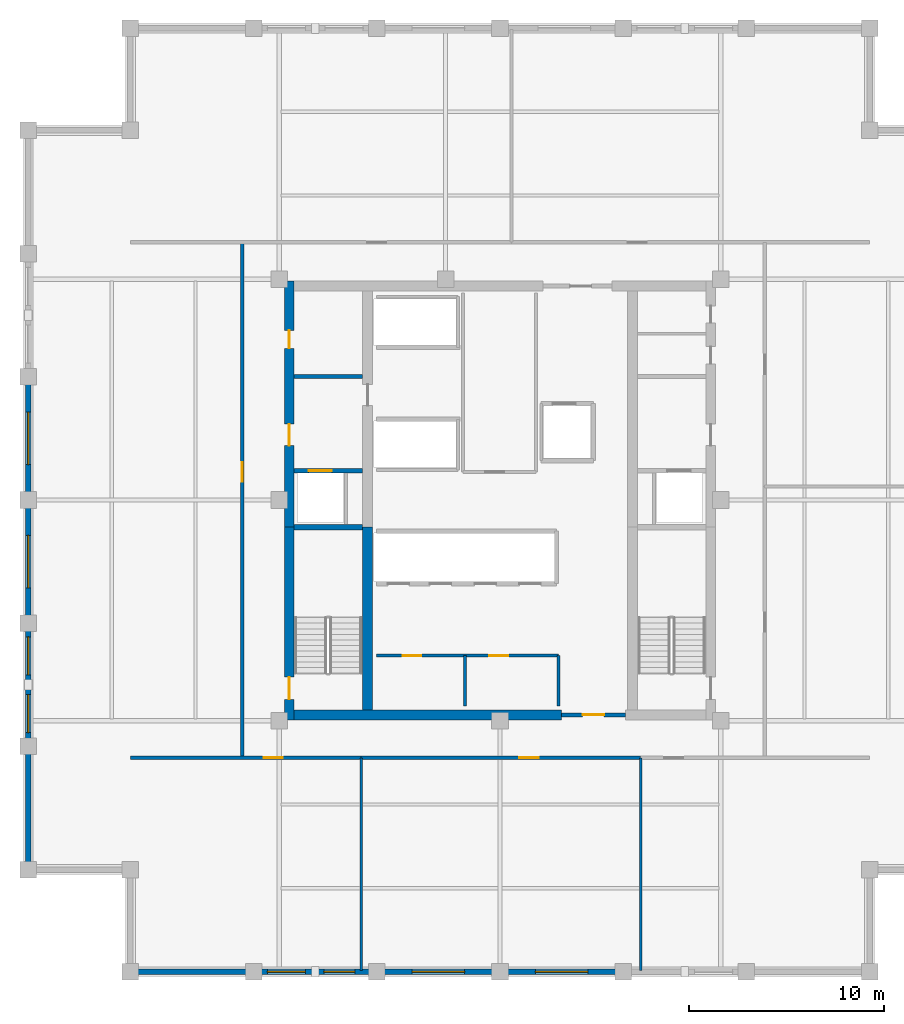
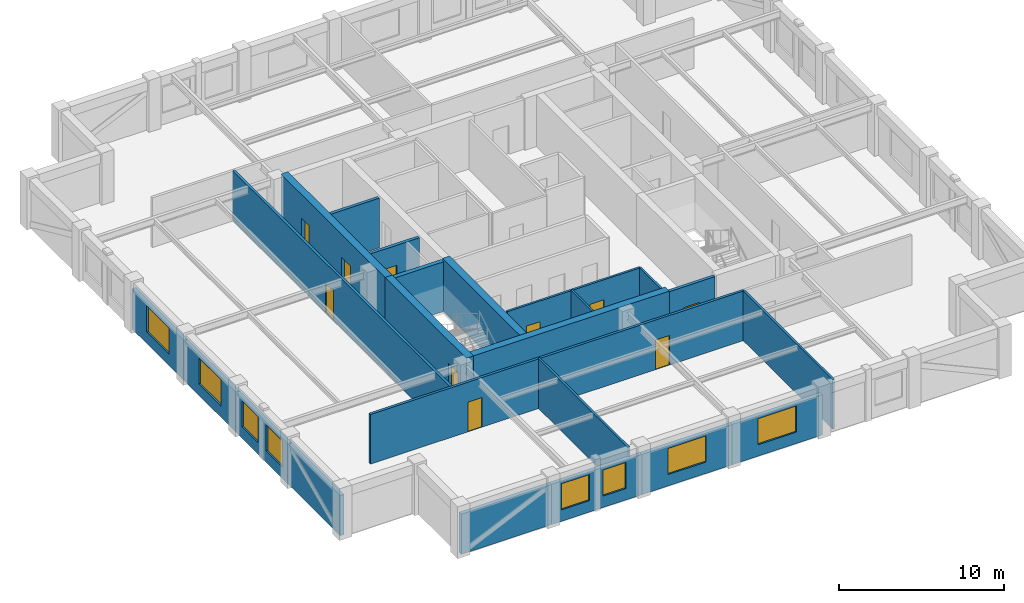
# One storey, part 2 of 6: 24 walls, 10 doors, 8 windows, 18 openings.
"""IFC4 building model written with IfcOpenShell, lengths in metres."""

from ifc_helpers import new_model, si_unit, direction, frame, frame_2d, origin, place, context, subcontext, project, spatial, rectangle, extrude, material, layer, layer_set, type_object, element, fill, save


model = new_model("IFC4")

# Units and contexts
model_context = context("Model", 3, precision=1e-05, world=origin(), true_north=direction((0.0, 1.0)))
body_context = subcontext(model_context, "Body", "Model", "MODEL_VIEW")
ifc_project = project(units=[si_unit("LENGTHUNIT", "METRE"), si_unit("AREAUNIT", "SQUARE_METRE"), si_unit("VOLUMEUNIT", "CUBIC_METRE"), si_unit("PLANEANGLEUNIT", "RADIAN"), si_unit("MASSUNIT", "GRAM", prefix="KILO")], contexts=[model_context])

# Site, building, storey
site_placement = place(None, origin())
site = spatial("IfcSite", under=ifc_project, at=site_placement, CompositionType="ELEMENT")
building_placement = place(site_placement, origin())
building = spatial("IfcBuilding", under=site, at=building_placement, Name="Nhamokura Convention Tower", CompositionType="ELEMENT")
storey_placement = place(building_placement, frame((0.0, 0.0, 233.10009765625)))
storey = spatial("IfcBuildingStorey", under=building, at=storey_placement, Name="L57", CompositionType="ELEMENT", Elevation=233.10009765625)

# Wall
ifc_material_1 = material(Name="Bronze-pigmented precast concrete C45/55", Category="concrete")
ifc_layer_1 = layer(ifc_material_1, 0.280029296875)
ifc_layer_set_1 = layer_set([ifc_layer_1], Name="BronzePrecastSpandrel_280")
wall_type_1 = type_object("IfcWallType", Name="BronzePrecastSpandrel_280", PredefinedType="USERDEFINED", material=ifc_layer_set_1)
wall_1_placement = place(storey_placement, frame((19.333251953125, 7.75, 0.0), z_axis=(0.0, 0.0, 1.0), x_axis=(-1.0, 0.0, 0.0)))
element("IfcWall", 1, at=wall_1_placement, inside=storey, type_object=wall_type_1, Name="L57 Braced-Bay Precast Wall SOUTH 0", ObjectType="SPANDREL_WALL", PredefinedType="USERDEFINED", context=body_context, shape_type="SweptSolid", body=[
    extrude(rectangle(XDim=6.333251953125, YDim=0.280029296875, at=frame_2d((3.16650390625, 0.0))), origin(), (0.0, 0.0, 1.0), 2.98486328125),
])

# Wall, openings, windows
wall_2_placement = place(storey_placement, frame((25.666748046875, 7.75, 0.0), z_axis=(0.0, 0.0, 1.0), x_axis=(-1.0, 0.0, 0.0)))
wall_2 = element("IfcWall", 2, at=wall_2_placement, inside=storey, type_object=wall_type_1, Name="L57 Masonry-Frame Wall SOUTH 1", ObjectType="SPANDREL_WALL", PredefinedType="USERDEFINED", context=body_context, shape_type="SweptSolid", body=[
    extrude(rectangle(XDim=6.33349609375, YDim=0.280029296875, at=frame_2d((3.166748046875, 0.0))), origin(), (0.0, 0.0, 1.0), 2.98486328125),
])
opening_1_placement = place(wall_2_placement, frame((1.120849609375, 0.0, 0.85009765625)))
opening_1 = element("IfcOpeningElement", 3, at=opening_1_placement, cuts=wall_2, Name="Opening W-11", PredefinedType="OPENING", context=body_context, shape_type="SweptSolid", body=[
    extrude(rectangle(XDim=1.60009765625, YDim=1.93505859375, at=frame_2d((0.800048828125, 0.967529296875))), frame((0.0, 0.14990234375, 0.0), z_axis=(0.0, -1.0, 0.0), x_axis=(1.0, 0.0, 0.0)), (0.0, 0.0, 1.0), 0.300048828125),
])
opening_2_placement = place(wall_2_placement, frame((3.675048828125, 0.0, 0.85009765625)))
opening_2 = element("IfcOpeningElement", 4, at=opening_2_placement, cuts=wall_2, Name="Opening W-08", PredefinedType="OPENING", context=body_context, shape_type="SweptSolid", body=[
    extrude(rectangle(XDim=1.949951171875, YDim=1.93505859375, at=frame_2d((0.97509765625, 0.967529296875))), frame((0.0, 0.14990234375, 0.0), z_axis=(0.0, -1.0, 0.0), x_axis=(1.0, 0.0, 0.0)), (0.0, 0.0, 1.0), 0.300048828125),
])
ifc_material_2 = material(Name="Solar-control bronze low-E double glass", Category="glass")
window_type_1 = type_object("IfcWindowType", Name="NotchCornerWindow_1600", PartitioningType="SINGLE_PANEL", PredefinedType="WINDOW", material=ifc_material_2)
window_1_placement = place(opening_1_placement, origin())
window_1 = element("IfcWindow", 5, at=window_1_placement, inside=storey, type_object=window_type_1, Name="L57 Facade Window SOUTH 1-1", OverallHeight=1.93505859375, OverallWidth=1.60009765625, PartitioningType="SINGLE_PANEL", PredefinedType="WINDOW", context=body_context, shape_type="SweptSolid", body=[
    extrude(rectangle(XDim=1.60009765625, YDim=1.93505859375, at=frame_2d((0.800048828125, 0.967529296875))), frame((0.0, 0.030029296875, 0.0), z_axis=(0.0, -1.0, 0.0), x_axis=(1.0, 0.0, 0.0)), (0.0, 0.0, 1.0), 0.06005859375),
])
fill(opening_1, window_1)
ifc_material_3 = material(Name="Solar-control bronze low-E double glass", Category="glass")
window_type_2 = type_object("IfcWindowType", Name="OfficeModuleWindow_Z3_1950", PartitioningType="SINGLE_PANEL", PredefinedType="WINDOW", material=ifc_material_3)
window_2_placement = place(opening_2_placement, origin())
window_2 = element("IfcWindow", 6, at=window_2_placement, inside=storey, type_object=window_type_2, Name="L57 Facade Window SOUTH 1-2", OverallHeight=1.93505859375, OverallWidth=1.949951171875, PartitioningType="SINGLE_PANEL", PredefinedType="WINDOW", context=body_context, shape_type="SweptSolid", body=[
    extrude(rectangle(XDim=1.949951171875, YDim=1.93505859375, at=frame_2d((0.97509765625, 0.967529296875))), frame((0.0, 0.030029296875, 0.0), z_axis=(0.0, -1.0, 0.0), x_axis=(1.0, 0.0, 0.0)), (0.0, 0.0, 1.0), 0.06005859375),
])
fill(opening_2, window_2)

# Wall, opening, window
wall_3_placement = place(storey_placement, frame((32.0, 7.75, 0.0), z_axis=(0.0, 0.0, 1.0), x_axis=(-1.0, 0.0, 0.0)))
wall_3 = element("IfcWall", 7, at=wall_3_placement, inside=storey, type_object=wall_type_1, Name="L57 Masonry-Frame Wall SOUTH 2", ObjectType="SPANDREL_WALL", PredefinedType="USERDEFINED", context=body_context, shape_type="SweptSolid", body=[
    extrude(rectangle(XDim=6.333251953125, YDim=0.280029296875, at=frame_2d((3.16650390625, 0.0))), origin(), (0.0, 0.0, 1.0), 2.98486328125),
])
opening_3_placement = place(wall_3_placement, frame((1.816650390625, 0.0, 0.85009765625)))
opening_3 = element("IfcOpeningElement", 8, at=opening_3_placement, cuts=wall_3, Name="Opening W-07", PredefinedType="OPENING", context=body_context, shape_type="SweptSolid", body=[
    extrude(rectangle(XDim=2.699951171875, YDim=1.93505859375, at=frame_2d((1.35009765625, 0.967529296875))), frame((0.0, 0.14990234375, 0.0), z_axis=(0.0, -1.0, 0.0), x_axis=(1.0, 0.0, 0.0)), (0.0, 0.0, 1.0), 0.300048828125),
])
ifc_material_4 = material(Name="Solar-control bronze low-E double glass", Category="glass")
window_type_3 = type_object("IfcWindowType", Name="OfficeModuleWindow_Z3_2700", PartitioningType="DOUBLE_PANEL_VERTICAL", PredefinedType="WINDOW", material=ifc_material_4)
window_3_placement = place(opening_3_placement, origin())
window_3 = element("IfcWindow", 9, at=window_3_placement, inside=storey, type_object=window_type_3, Name="L57 Facade Window SOUTH 2", OverallHeight=1.93505859375, OverallWidth=2.699951171875, PartitioningType="SINGLE_PANEL", PredefinedType="WINDOW", context=body_context, shape_type="SweptSolid", body=[
    extrude(rectangle(XDim=2.699951171875, YDim=1.93505859375, at=frame_2d((1.35009765625, 0.967529296875))), frame((0.0, 0.030029296875, 0.0), z_axis=(0.0, -1.0, 0.0), x_axis=(1.0, 0.0, 0.0)), (0.0, 0.0, 1.0), 0.06005859375),
])
fill(opening_3, window_3)

wall_4_placement = place(storey_placement, frame((38.333251953125, 7.75, 0.0), z_axis=(0.0, 0.0, 1.0), x_axis=(-1.0, 0.0, 0.0)))
wall_4 = element("IfcWall", 10, at=wall_4_placement, inside=storey, type_object=wall_type_1, Name="L57 Masonry-Frame Wall SOUTH 3", ObjectType="SPANDREL_WALL", PredefinedType="USERDEFINED", context=body_context, shape_type="SweptSolid", body=[
    extrude(rectangle(XDim=6.333251953125, YDim=0.280029296875, at=frame_2d((3.16650390625, 0.0))), origin(), (0.0, 0.0, 1.0), 2.98486328125),
])
opening_4_placement = place(wall_4_placement, frame((1.816650390625, 0.0, 0.85009765625)))
opening_4 = element("IfcOpeningElement", 11, at=opening_4_placement, cuts=wall_4, Name="Opening W-07", PredefinedType="OPENING", context=body_context, shape_type="SweptSolid", body=[
    extrude(rectangle(XDim=2.699951171875, YDim=1.93505859375, at=frame_2d((1.35009765625, 0.967529296875))), frame((0.0, 0.14990234375, 0.0), z_axis=(0.0, -1.0, 0.0), x_axis=(1.0, 0.0, 0.0)), (0.0, 0.0, 1.0), 0.300048828125),
])
window_4_placement = place(opening_4_placement, origin())
window_4 = element("IfcWindow", 12, at=window_4_placement, inside=storey, type_object=window_type_3, Name="L57 Facade Window SOUTH 3", OverallHeight=1.93505859375, OverallWidth=2.699951171875, PartitioningType="SINGLE_PANEL", PredefinedType="WINDOW", context=body_context, shape_type="SweptSolid", body=[
    extrude(rectangle(XDim=2.699951171875, YDim=1.93505859375, at=frame_2d((1.35009765625, 0.967529296875))), frame((0.0, 0.030029296875, 0.0), z_axis=(0.0, -1.0, 0.0), x_axis=(1.0, 0.0, 0.0)), (0.0, 0.0, 1.0), 0.06005859375),
])
fill(opening_4, window_4)

# Wall
wall_5_placement = place(storey_placement, frame((7.75, 13.0, 0.0), z_axis=(0.0, 0.0, 1.0), x_axis=(0.0, 1.0, 0.0)))
element("IfcWall", 13, at=wall_5_placement, inside=storey, type_object=wall_type_1, Name="L57 Braced-Bay Precast Wall WEST 0", ObjectType="SPANDREL_WALL", PredefinedType="USERDEFINED", context=body_context, shape_type="SweptSolid", body=[
    extrude(rectangle(XDim=6.333251953125, YDim=0.280029296875, at=frame_2d((3.16650390625, 0.0))), origin(), (0.0, 0.0, 1.0), 2.98486328125),
])

# Wall, openings, windows
wall_6_placement = place(storey_placement, frame((7.75, 19.333251953125, 0.0), z_axis=(0.0, 0.0, 1.0), x_axis=(0.0, 1.0, 0.0)))
wall_6 = element("IfcWall", 14, at=wall_6_placement, inside=storey, type_object=wall_type_1, Name="L57 Masonry-Frame Wall WEST 1", ObjectType="SPANDREL_WALL", PredefinedType="USERDEFINED", context=body_context, shape_type="SweptSolid", body=[
    extrude(rectangle(XDim=6.33349609375, YDim=0.280029296875, at=frame_2d((3.166748046875, 0.0))), origin(), (0.0, 0.0, 1.0), 2.98486328125),
])
opening_5_placement = place(wall_6_placement, frame((0.708251953125, 0.0, 0.85009765625)))
opening_5 = element("IfcOpeningElement", 15, at=opening_5_placement, cuts=wall_6, Name="Opening W-08", PredefinedType="OPENING", context=body_context, shape_type="SweptSolid", body=[
    extrude(rectangle(XDim=1.949951171875, YDim=1.93505859375, at=frame_2d((0.97509765625, 0.967529296875))), frame((0.0, 0.14990234375, 0.0), z_axis=(0.0, -1.0, 0.0), x_axis=(1.0, 0.0, 0.0)), (0.0, 0.0, 1.0), 0.300048828125),
])
opening_6_placement = place(wall_6_placement, frame((3.675048828125, 0.0, 0.85009765625)))
opening_6 = element("IfcOpeningElement", 16, at=opening_6_placement, cuts=wall_6, Name="Opening W-08", PredefinedType="OPENING", context=body_context, shape_type="SweptSolid", body=[
    extrude(rectangle(XDim=1.949951171875, YDim=1.93505859375, at=frame_2d((0.97509765625, 0.967529296875))), frame((0.0, 0.14990234375, 0.0), z_axis=(0.0, -1.0, 0.0), x_axis=(1.0, 0.0, 0.0)), (0.0, 0.0, 1.0), 0.300048828125),
])
window_5_placement = place(opening_5_placement, origin())
window_5 = element("IfcWindow", 17, at=window_5_placement, inside=storey, type_object=window_type_2, Name="L57 Facade Window WEST 1-1", OverallHeight=1.93505859375, OverallWidth=1.949951171875, PartitioningType="SINGLE_PANEL", PredefinedType="WINDOW", context=body_context, shape_type="SweptSolid", body=[
    extrude(rectangle(XDim=1.949951171875, YDim=1.93505859375, at=frame_2d((0.97509765625, 0.967529296875))), frame((0.0, 0.030029296875, 0.0), z_axis=(0.0, -1.0, 0.0), x_axis=(1.0, 0.0, 0.0)), (0.0, 0.0, 1.0), 0.06005859375),
])
fill(opening_5, window_5)
window_6_placement = place(opening_6_placement, origin())
window_6 = element("IfcWindow", 18, at=window_6_placement, inside=storey, type_object=window_type_2, Name="L57 Facade Window WEST 1-2", OverallHeight=1.93505859375, OverallWidth=1.949951171875, PartitioningType="SINGLE_PANEL", PredefinedType="WINDOW", context=body_context, shape_type="SweptSolid", body=[
    extrude(rectangle(XDim=1.949951171875, YDim=1.93505859375, at=frame_2d((0.97509765625, 0.967529296875))), frame((0.0, 0.030029296875, 0.0), z_axis=(0.0, -1.0, 0.0), x_axis=(1.0, 0.0, 0.0)), (0.0, 0.0, 1.0), 0.06005859375),
])
fill(opening_6, window_6)

# Wall, opening, window
wall_7_placement = place(storey_placement, frame((7.75, 25.666748046875, 0.0), z_axis=(0.0, 0.0, 1.0), x_axis=(0.0, 1.0, 0.0)))
wall_7 = element("IfcWall", 19, at=wall_7_placement, inside=storey, type_object=wall_type_1, Name="L57 Masonry-Frame Wall WEST 2", ObjectType="SPANDREL_WALL", PredefinedType="USERDEFINED", context=body_context, shape_type="SweptSolid", body=[
    extrude(rectangle(XDim=6.333251953125, YDim=0.280029296875, at=frame_2d((3.16650390625, 0.0))), origin(), (0.0, 0.0, 1.0), 2.98486328125),
])
opening_7_placement = place(wall_7_placement, frame((1.816650390625, 0.0, 0.85009765625)))
opening_7 = element("IfcOpeningElement", 20, at=opening_7_placement, cuts=wall_7, Name="Opening W-07", PredefinedType="OPENING", context=body_context, shape_type="SweptSolid", body=[
    extrude(rectangle(XDim=2.699951171875, YDim=1.93505859375, at=frame_2d((1.35009765625, 0.967529296875))), frame((0.0, 0.14990234375, 0.0), z_axis=(0.0, -1.0, 0.0), x_axis=(1.0, 0.0, 0.0)), (0.0, 0.0, 1.0), 0.300048828125),
])
window_7_placement = place(opening_7_placement, origin())
window_7 = element("IfcWindow", 21, at=window_7_placement, inside=storey, type_object=window_type_3, Name="L57 Facade Window WEST 2", OverallHeight=1.93505859375, OverallWidth=2.699951171875, PartitioningType="SINGLE_PANEL", PredefinedType="WINDOW", context=body_context, shape_type="SweptSolid", body=[
    extrude(rectangle(XDim=2.699951171875, YDim=1.93505859375, at=frame_2d((1.35009765625, 0.967529296875))), frame((0.0, 0.030029296875, 0.0), z_axis=(0.0, -1.0, 0.0), x_axis=(1.0, 0.0, 0.0)), (0.0, 0.0, 1.0), 0.06005859375),
])
fill(opening_7, window_7)

wall_8_placement = place(storey_placement, frame((7.75, 32.0, 0.0), z_axis=(0.0, 0.0, 1.0), x_axis=(0.0, 1.0, 0.0)))
wall_8 = element("IfcWall", 22, at=wall_8_placement, inside=storey, type_object=wall_type_1, Name="L57 Masonry-Frame Wall WEST 3", ObjectType="SPANDREL_WALL", PredefinedType="USERDEFINED", context=body_context, shape_type="SweptSolid", body=[
    extrude(rectangle(XDim=6.333251953125, YDim=0.280029296875, at=frame_2d((3.16650390625, 0.0))), origin(), (0.0, 0.0, 1.0), 2.98486328125),
])
opening_8_placement = place(wall_8_placement, frame((1.816650390625, 0.0, 0.85009765625)))
opening_8 = element("IfcOpeningElement", 23, at=opening_8_placement, cuts=wall_8, Name="Opening W-07", PredefinedType="OPENING", context=body_context, shape_type="SweptSolid", body=[
    extrude(rectangle(XDim=2.699951171875, YDim=1.93505859375, at=frame_2d((1.35009765625, 0.967529296875))), frame((0.0, 0.14990234375, 0.0), z_axis=(0.0, -1.0, 0.0), x_axis=(1.0, 0.0, 0.0)), (0.0, 0.0, 1.0), 0.300048828125),
])
window_8_placement = place(opening_8_placement, origin())
window_8 = element("IfcWindow", 24, at=window_8_placement, inside=storey, type_object=window_type_3, Name="L57 Facade Window WEST 3", OverallHeight=1.93505859375, OverallWidth=2.699951171875, PartitioningType="SINGLE_PANEL", PredefinedType="WINDOW", context=body_context, shape_type="SweptSolid", body=[
    extrude(rectangle(XDim=2.699951171875, YDim=1.93505859375, at=frame_2d((1.35009765625, 0.967529296875))), frame((0.0, 0.030029296875, 0.0), z_axis=(0.0, -1.0, 0.0), x_axis=(1.0, 0.0, 0.0)), (0.0, 0.0, 1.0), 0.06005859375),
])
fill(opening_8, window_8)

# Wall, opening, door
ifc_material_5 = material(Name="Concrete C60/75", Category="concrete")
ifc_layer_2 = layer(ifc_material_5, 0.5)
ifc_layer_set_2 = layer_set([ifc_layer_2], Name="CoreShearWall_500")
wall_type_2 = type_object("IfcWallType", Name="CoreShearWall_500", PredefinedType="SHEAR", material=ifc_layer_set_2)
wall_9_placement = place(storey_placement, frame((21.159912109375, 20.699951171875, 0.0), z_axis=(0.0, 0.0, 1.0), x_axis=(0.0, 1.0, 0.0)))
wall_9 = element("IfcWall", 25, at=wall_9_placement, inside=storey, type_object=wall_type_2, Name="L57 Core Shear Wall CW-WS", PredefinedType="SHEAR", context=body_context, shape_type="SweptSolid", body=[
    extrude(rectangle(XDim=9.900146484375, YDim=0.5, at=frame_2d((4.9501953125, 0.0))), origin(), (0.0, 0.0, 1.0), 3.849853515625),
])
opening_9_placement = place(wall_9_placement, frame((1.050048828125, 0.0, 0.0)))
opening_9 = element("IfcOpeningElement", 26, at=opening_9_placement, cuts=wall_9, Name="Opening D-04", PredefinedType="OPENING", context=body_context, shape_type="SweptSolid", body=[
    extrude(rectangle(XDim=1.14990234375, YDim=2.14990234375, at=frame_2d((0.574951171875, 1.074951171875))), frame((0.0, 0.260009765625, 0.0), z_axis=(0.0, -1.0, 0.0), x_axis=(1.0, 0.0, 0.0)), (0.0, 0.0, 1.0), 0.52001953125),
])
ifc_material_6 = material(Name="Fire-rated steel door", Category="steel")
door_type_1 = type_object("IfcDoorType", Name="StairSmokeDoor_1150", OperationType="NOTDEFINED", PredefinedType="DOOR", material=ifc_material_6)
door_1_placement = place(opening_9_placement, origin())
door_1 = element("IfcDoor", 27, at=door_1_placement, inside=storey, type_object=door_type_1, Name="L57 Core Door INT-L57-D-ST01", OperationType="SINGLE_SWING_LEFT", OverallHeight=2.14990234375, OverallWidth=1.14990234375, PredefinedType="DOOR", context=body_context, shape_type="SweptSolid", body=[
    extrude(rectangle(XDim=1.14990234375, YDim=2.14990234375, at=frame_2d((0.574951171875, 1.074951171875))), frame((0.0, 0.02490234375, 0.0), z_axis=(0.0, -1.0, 0.0), x_axis=(1.0, 0.0, 0.0)), (0.0, 0.0, 1.0), 0.050048828125),
])
fill(opening_9, door_1)

# Wall, openings, doors
wall_10_placement = place(storey_placement, frame((21.159912109375, 30.60009765625, 0.0), z_axis=(0.0, 0.0, 1.0), x_axis=(0.0, 1.0, 0.0)))
wall_10 = element("IfcWall", 28, at=wall_10_placement, inside=storey, type_object=wall_type_2, Name="L57 Core Shear Wall CW-WN", PredefinedType="SHEAR", context=body_context, shape_type="SweptSolid", body=[
    extrude(rectangle(XDim=12.64990234375, YDim=0.5, at=frame_2d((6.324951171875, 0.0))), origin(), (0.0, 0.0, 1.0), 3.849853515625),
])
opening_10_placement = place(wall_10_placement, frame((4.199951171875, 0.0, 0.0)))
opening_10 = element("IfcOpeningElement", 29, at=opening_10_placement, cuts=wall_10, Name="Opening D-05", PredefinedType="OPENING", context=body_context, shape_type="SweptSolid", body=[
    extrude(rectangle(XDim=1.10009765625, YDim=2.14990234375, at=frame_2d((0.550048828125, 1.074951171875))), frame((0.0, 0.260009765625, 0.0), z_axis=(0.0, -1.0, 0.0), x_axis=(1.0, 0.0, 0.0)), (0.0, 0.0, 1.0), 0.52001953125),
])
opening_11_placement = place(wall_10_placement, frame((9.199951171875, 0.0, 0.0)))
opening_11 = element("IfcOpeningElement", 30, at=opening_11_placement, cuts=wall_10, Name="Opening D-10", PredefinedType="OPENING", context=body_context, shape_type="SweptSolid", body=[
    extrude(rectangle(XDim=0.919921875, YDim=2.10009765625, at=frame_2d((0.4599609375, 1.050048828125))), frame((0.0, 0.260009765625, 0.0), z_axis=(0.0, -1.0, 0.0), x_axis=(1.0, 0.0, 0.0)), (0.0, 0.0, 1.0), 0.52001953125),
])
ifc_material_7 = material(Name="Solid oak hardwood", Category="wood")
door_type_2 = type_object("IfcDoorType", Name="AccessibleWCDoor_920", OperationType="NOTDEFINED", PredefinedType="DOOR", material=ifc_material_7)
door_2_placement = place(opening_11_placement, origin())
door_2 = element("IfcDoor", 31, at=door_2_placement, inside=storey, type_object=door_type_2, Name="L57 Core Door INT-L57-D-AWC", OperationType="SINGLE_SWING_LEFT", OverallHeight=2.10009765625, OverallWidth=0.919921875, PredefinedType="DOOR", context=body_context, shape_type="SweptSolid", body=[
    extrude(rectangle(XDim=0.919921875, YDim=2.10009765625, at=frame_2d((0.4599609375, 1.050048828125))), frame((0.0, 0.02490234375, 0.0), z_axis=(0.0, -1.0, 0.0), x_axis=(1.0, 0.0, 0.0)), (0.0, 0.0, 1.0), 0.050048828125),
])
fill(opening_11, door_2)
ifc_material_8 = material(Name="Fire-rated steel door", Category="steel")
door_type_3 = type_object("IfcDoorType", Name="FireLobbyDoor_1100", OperationType="NOTDEFINED", PredefinedType="DOOR", material=ifc_material_8)
door_3_placement = place(opening_10_placement, origin())
door_3 = element("IfcDoor", 32, at=door_3_placement, inside=storey, type_object=door_type_3, Name="L57 Core Door INT-L57-D-FFLW", OperationType="SINGLE_SWING_RIGHT", OverallHeight=2.14990234375, OverallWidth=1.10009765625, PredefinedType="DOOR", context=body_context, shape_type="SweptSolid", body=[
    extrude(rectangle(XDim=1.10009765625, YDim=2.14990234375, at=frame_2d((0.550048828125, 1.074951171875))), frame((0.0, 0.02490234375, 0.0), z_axis=(0.0, -1.0, 0.0), x_axis=(1.0, 0.0, 0.0)), (0.0, 0.0, 1.0), 0.050048828125),
])
fill(opening_10, door_3)

# Walls
wall_11_placement = place(storey_placement, frame((21.409912109375, 20.949951171875, 0.0), z_axis=(0.0, 0.0, 1.0), x_axis=(1.0, 0.0, 0.0)))
element("IfcWall", 33, at=wall_11_placement, inside=storey, type_object=wall_type_2, Name="L57 Core Shear Wall CW-S1", PredefinedType="SHEAR", context=body_context, shape_type="SweptSolid", body=[
    extrude(rectangle(XDim=13.739990234375, YDim=0.5, at=frame_2d((6.8701171875, 0.0))), origin(), (0.0, 0.0, 1.0), 3.849853515625),
])
wall_12_placement = place(storey_placement, frame((25.18994140625, 21.199951171875, 0.0), z_axis=(0.0, 0.0, 1.0), x_axis=(0.0, 1.0, 0.0)))
element("IfcWall", 34, at=wall_12_placement, inside=storey, type_object=wall_type_2, Name="L57 Core Shear Wall CW-IWS", PredefinedType="SHEAR", context=body_context, shape_type="SweptSolid", body=[
    extrude(rectangle(XDim=9.400146484375, YDim=0.5, at=frame_2d((4.7001953125, 0.0))), origin(), (0.0, 0.0, 1.0), 3.849853515625),
])

# Wall, opening, door
ifc_material_9 = material(Name="Fire-rated gypsum and masonry partition", Category="masonry")
ifc_layer_3 = layer(ifc_material_9, 0.179931640625)
ifc_layer_set_3 = layer_set([ifc_layer_3], Name="CorridorRatedWall_180")
wall_type_3 = type_object("IfcWallType", Name="CorridorRatedWall_180", PredefinedType="STANDARD", material=ifc_layer_set_3)
wall_13_placement = place(storey_placement, frame((13.0, 18.75, 0.0), z_axis=(0.0, 0.0, 1.0), x_axis=(1.0, 0.0, 0.0)))
wall_13 = element("IfcWall", 35, at=wall_13_placement, inside=storey, type_object=wall_type_3, Name="L57 Wall INT-L57-CW-S00", PredefinedType="STANDARD", context=body_context, shape_type="SweptSolid", body=[
    extrude(rectangle(XDim=11.86669921875, YDim=0.179931640625, at=frame_2d((5.933349609375, 0.0))), origin(), (0.0, 0.0, 1.0), 3.684814453125),
])
opening_12_placement = place(wall_13_placement, frame((6.8583984375, 0.0, 0.0)))
opening_12 = element("IfcOpeningElement", 36, at=opening_12_placement, cuts=wall_13, Name="Opening D-08", PredefinedType="OPENING", context=body_context, shape_type="SweptSolid", body=[
    extrude(rectangle(XDim=0.97998046875, YDim=2.199951171875, at=frame_2d((0.489990234375, 1.10009765625))), frame((0.0, 0.099853515625, 0.0), z_axis=(0.0, -1.0, 0.0), x_axis=(1.0, 0.0, 0.0)), (0.0, 0.0, 1.0), 0.199951171875),
])
ifc_material_10 = material(Name="Solid oak hardwood", Category="wood")
door_type_4 = type_object("IfcDoorType", Name="OfficeEntryDoor_980", OperationType="NOTDEFINED", PredefinedType="DOOR", material=ifc_material_10)
door_4_placement = place(opening_12_placement, origin())
door_4 = element("IfcDoor", 37, at=door_4_placement, inside=storey, type_object=door_type_4, Name="L57 Conference Hall S01 Door", OperationType="SINGLE_SWING_LEFT", OverallHeight=2.199951171875, OverallWidth=0.97998046875, PredefinedType="DOOR", context=body_context, shape_type="SweptSolid", body=[
    extrude(rectangle(XDim=0.97998046875, YDim=2.199951171875, at=frame_2d((0.489990234375, 1.10009765625))), frame((0.0, 0.02490234375, 0.0), z_axis=(0.0, -1.0, 0.0), x_axis=(1.0, 0.0, 0.0)), (0.0, 0.0, 1.0), 0.050048828125),
])
fill(opening_12, door_4)

wall_14_placement = place(storey_placement, frame((24.86669921875, 18.75, 0.0), z_axis=(0.0, 0.0, 1.0), x_axis=(1.0, 0.0, 0.0)))
wall_14 = element("IfcWall", 38, at=wall_14_placement, inside=storey, type_object=wall_type_3, Name="L57 Wall INT-L57-CW-S01", PredefinedType="STANDARD", context=body_context, shape_type="SweptSolid", body=[
    extrude(rectangle(XDim=14.36669921875, YDim=0.179931640625, at=frame_2d((7.183349609375, 0.0))), origin(), (0.0, 0.0, 1.0), 3.684814453125),
])
opening_13_placement = place(wall_14_placement, frame((8.13330078125, 0.0, 0.0)))
opening_13 = element("IfcOpeningElement", 39, at=opening_13_placement, cuts=wall_14, Name="Opening D-08", PredefinedType="OPENING", context=body_context, shape_type="SweptSolid", body=[
    extrude(rectangle(XDim=0.97998046875, YDim=2.199951171875, at=frame_2d((0.489990234375, 1.10009765625))), frame((0.0, 0.099853515625, 0.0), z_axis=(0.0, -1.0, 0.0), x_axis=(1.0, 0.0, 0.0)), (0.0, 0.0, 1.0), 0.199951171875),
])
door_5_placement = place(opening_13_placement, origin())
door_5 = element("IfcDoor", 40, at=door_5_placement, inside=storey, type_object=door_type_4, Name="L57 Pre-Function Lounge S02 Door", OperationType="SINGLE_SWING_RIGHT", OverallHeight=2.199951171875, OverallWidth=0.97998046875, PredefinedType="DOOR", context=body_context, shape_type="SweptSolid", body=[
    extrude(rectangle(XDim=0.97998046875, YDim=2.199951171875, at=frame_2d((0.489990234375, 1.10009765625))), frame((0.0, 0.02490234375, 0.0), z_axis=(0.0, -1.0, 0.0), x_axis=(1.0, 0.0, 0.0)), (0.0, 0.0, 1.0), 0.050048828125),
])
fill(opening_13, door_5)

wall_15_placement = place(storey_placement, frame((18.75, 18.75, 0.0), z_axis=(0.0, 0.0, 1.0), x_axis=(0.0, 1.0, 0.0)))
wall_15 = element("IfcWall", 41, at=wall_15_placement, inside=storey, type_object=wall_type_3, Name="L57 Wall INT-L57-CW-W00", PredefinedType="STANDARD", context=body_context, shape_type="SweptSolid", body=[
    extrude(rectangle(XDim=26.5, YDim=0.179931640625, at=frame_2d((13.25, 0.0))), origin(), (0.0, 0.0, 1.0), 3.684814453125),
])
opening_14_placement = place(wall_15_placement, frame((14.199951171875, 0.0, 0.0)))
opening_14 = element("IfcOpeningElement", 42, at=opening_14_placement, cuts=wall_15, Name="Opening D-08", PredefinedType="OPENING", context=body_context, shape_type="SweptSolid", body=[
    extrude(rectangle(XDim=0.97998046875, YDim=2.199951171875, at=frame_2d((0.489990234375, 1.10009765625))), frame((0.0, 0.099853515625, 0.0), z_axis=(0.0, -1.0, 0.0), x_axis=(1.0, 0.0, 0.0)), (0.0, 0.0, 1.0), 0.199951171875),
])
door_6_placement = place(opening_14_placement, origin())
door_6 = element("IfcDoor", 43, at=door_6_placement, inside=storey, type_object=door_type_4, Name="L57 Meeting Room W01 Door", OperationType="SINGLE_SWING_LEFT", OverallHeight=2.199951171875, OverallWidth=0.97998046875, PredefinedType="DOOR", context=body_context, shape_type="SweptSolid", body=[
    extrude(rectangle(XDim=0.97998046875, YDim=2.199951171875, at=frame_2d((0.489990234375, 1.10009765625))), frame((0.0, 0.02490234375, 0.0), z_axis=(0.0, -1.0, 0.0), x_axis=(1.0, 0.0, 0.0)), (0.0, 0.0, 1.0), 0.050048828125),
])
fill(opening_14, door_6)

ifc_material_11 = material(Name="Autoclaved concrete blockwork", Category="masonry")
ifc_layer_4 = layer(ifc_material_11, 0.219970703125)
ifc_layer_set_4 = layer_set([ifc_layer_4], Name="FireLobbyWall_220")
wall_type_4 = type_object("IfcWallType", Name="FireLobbyWall_220", PredefinedType="STANDARD", material=ifc_layer_set_4)
wall_16_placement = place(storey_placement, frame((21.409912109375, 33.5, 0.0), z_axis=(0.0, 0.0, 1.0), x_axis=(1.0, 0.0, 0.0)))
wall_16 = element("IfcWall", 44, at=wall_16_placement, inside=storey, type_object=wall_type_4, Name="L57 Wall INT-L57-FFW-S", PredefinedType="STANDARD", context=body_context, shape_type="SweptSolid", body=[
    extrude(rectangle(XDim=3.530029296875, YDim=0.219970703125, at=frame_2d((1.76513671875, 0.0))), origin(), (0.0, 0.0, 1.0), 3.684814453125),
])
opening_15_placement = place(wall_16_placement, frame((0.75, 0.0, 0.0)))
opening_15 = element("IfcOpeningElement", 45, at=opening_15_placement, cuts=wall_16, Name="Opening LD-02", PredefinedType="OPENING", context=body_context, shape_type="SweptSolid", body=[
    extrude(rectangle(XDim=1.199951171875, YDim=2.199951171875, at=frame_2d((0.60009765625, 1.10009765625))), frame((0.0, 0.119873046875, 0.0), z_axis=(0.0, -1.0, 0.0), x_axis=(1.0, 0.0, 0.0)), (0.0, 0.0, 1.0), 0.239990234375),
])
ifc_material_12 = material(Name="Anodised bronze stainless steel", Category="steel")
door_type_5 = type_object("IfcDoorType", Name="LiftLandingDoor_FireService", OperationType="DOUBLE_DOOR_SLIDING", PredefinedType="DOOR", material=ifc_material_12)
door_7_placement = place(opening_15_placement, origin())
door_7 = element("IfcDoor", 46, at=door_7_placement, inside=storey, type_object=door_type_5, Name="L57 Firefighting Lift LF-01 Door", OperationType="DOUBLE_DOOR_SLIDING", OverallHeight=2.199951171875, OverallWidth=1.199951171875, PredefinedType="DOOR", context=body_context, shape_type="SweptSolid", body=[
    extrude(rectangle(XDim=1.199951171875, YDim=2.199951171875, at=frame_2d((0.60009765625, 1.10009765625))), frame((0.0, 0.02490234375, 0.0), z_axis=(0.0, -1.0, 0.0), x_axis=(1.0, 0.0, 0.0)), (0.0, 0.0, 1.0), 0.050048828125),
])
fill(opening_15, door_7)

# Wall
wall_17_placement = place(storey_placement, frame((21.409912109375, 38.35009765625, 0.0), z_axis=(0.0, 0.0, 1.0), x_axis=(1.0, 0.0, 0.0)))
element("IfcWall", 47, at=wall_17_placement, inside=storey, type_object=wall_type_4, Name="L57 Wall INT-L57-FFW-N", PredefinedType="STANDARD", context=body_context, shape_type="SweptSolid", body=[
    extrude(rectangle(XDim=3.530029296875, YDim=0.219970703125, at=frame_2d((1.76513671875, 0.0))), origin(), (0.0, 0.0, 1.0), 3.684814453125),
])

# Wall, opening, door
wall_18_placement = place(storey_placement, frame((35.14990234375, 20.949951171875, 0.0), z_axis=(0.0, 0.0, 1.0), x_axis=(1.0, 0.0, 0.0)))
wall_18 = element("IfcWall", 48, at=wall_18_placement, inside=storey, type_object=wall_type_4, Name="L57 Wall INT-L57-SPORT-S", PredefinedType="STANDARD", context=body_context, shape_type="SweptSolid", body=[
    extrude(rectangle(XDim=3.300048828125, YDim=0.219970703125, at=frame_2d((1.64990234375, 0.0))), origin(), (0.0, 0.0, 1.0), 3.684814453125),
])
opening_16_placement = place(wall_18_placement, frame((1.10009765625, 0.0, 0.0)))
opening_16 = element("IfcOpeningElement", 49, at=opening_16_placement, cuts=wall_18, Name="Opening D-05", PredefinedType="OPENING", context=body_context, shape_type="SweptSolid", body=[
    extrude(rectangle(XDim=1.10009765625, YDim=2.14990234375, at=frame_2d((0.550048828125, 1.074951171875))), frame((0.0, 0.119873046875, 0.0), z_axis=(0.0, -1.0, 0.0), x_axis=(1.0, 0.0, 0.0)), (0.0, 0.0, 1.0), 0.239990234375),
])
door_8_placement = place(opening_16_placement, origin())
door_8 = element("IfcDoor", 50, at=door_8_placement, inside=storey, type_object=door_type_3, Name="L57 South Core Lobby Portal Door", OperationType="SINGLE_SWING_LEFT", OverallHeight=2.14990234375, OverallWidth=1.10009765625, PredefinedType="DOOR", context=body_context, shape_type="SweptSolid", body=[
    extrude(rectangle(XDim=1.10009765625, YDim=2.14990234375, at=frame_2d((0.550048828125, 1.074951171875))), frame((0.0, 0.02490234375, 0.0), z_axis=(0.0, -1.0, 0.0), x_axis=(1.0, 0.0, 0.0)), (0.0, 0.0, 1.0), 0.050048828125),
])
fill(opening_16, door_8)

# Wall, openings, doors
ifc_material_13 = material(Name="Acoustic gypsum stud partition", Category="masonry")
ifc_layer_5 = layer(ifc_material_13, 0.14990234375)
ifc_layer_set_5 = layer_set([ifc_layer_5], Name="InteriorPartition_150")
wall_type_5 = type_object("IfcWallType", Name="InteriorPartition_150", PredefinedType="STANDARD", material=ifc_layer_set_5)
wall_19_placement = place(storey_placement, frame((25.64990234375, 24.0, 0.0), z_axis=(0.0, 0.0, 1.0), x_axis=(1.0, 0.0, 0.0)))
wall_19 = element("IfcWall", 51, at=wall_19_placement, inside=storey, type_object=wall_type_5, Name="L57 Wall INT-L57-B1R-N", PredefinedType="STANDARD", context=body_context, shape_type="SweptSolid", body=[
    extrude(rectangle(XDim=9.35009765625, YDim=0.14990234375, at=frame_2d((4.675048828125, 0.0))), origin(), (0.0, 0.0, 1.0), 3.684814453125),
])
opening_17_placement = place(wall_19_placement, frame((1.35009765625, 0.0, 0.0)))
opening_17 = element("IfcOpeningElement", 52, at=opening_17_placement, cuts=wall_19, Name="Opening D-09", PredefinedType="OPENING", context=body_context, shape_type="SweptSolid", body=[
    extrude(rectangle(XDim=0.949951171875, YDim=2.14990234375, at=frame_2d((0.47509765625, 1.074951171875))), frame((0.0, 0.0849609375, 0.0), z_axis=(0.0, -1.0, 0.0), x_axis=(1.0, 0.0, 0.0)), (0.0, 0.0, 1.0), 0.169921875),
])
opening_18_placement = place(wall_19_placement, frame((5.800048828125, 0.0, 0.0)))
opening_18 = element("IfcOpeningElement", 53, at=opening_18_placement, cuts=wall_19, Name="Opening D-08", PredefinedType="OPENING", context=body_context, shape_type="SweptSolid", body=[
    extrude(rectangle(XDim=0.97998046875, YDim=2.199951171875, at=frame_2d((0.489990234375, 1.10009765625))), frame((0.0, 0.0849609375, 0.0), z_axis=(0.0, -1.0, 0.0), x_axis=(1.0, 0.0, 0.0)), (0.0, 0.0, 1.0), 0.169921875),
])
ifc_material_14 = material(Name="Solid oak hardwood", Category="wood")
door_type_6 = type_object("IfcDoorType", Name="MeetingRoomDoor_950", OperationType="NOTDEFINED", PredefinedType="DOOR", material=ifc_material_14)
door_9_placement = place(opening_17_placement, origin())
door_9 = element("IfcDoor", 54, at=door_9_placement, inside=storey, type_object=door_type_6, Name="L57 Reclaimed Briefing Room Door", OperationType="SINGLE_SWING_RIGHT", OverallHeight=2.14990234375, OverallWidth=0.949951171875, PredefinedType="DOOR", context=body_context, shape_type="SweptSolid", body=[
    extrude(rectangle(XDim=0.949951171875, YDim=2.14990234375, at=frame_2d((0.47509765625, 1.074951171875))), frame((0.0, 0.02490234375, 0.0), z_axis=(0.0, -1.0, 0.0), x_axis=(1.0, 0.0, 0.0)), (0.0, 0.0, 1.0), 0.050048828125),
])
fill(opening_17, door_9)
door_10_placement = place(opening_18_placement, origin())
door_10 = element("IfcDoor", 55, at=door_10_placement, inside=storey, type_object=door_type_4, Name="L57 Reclaimed Hub Door", OperationType="SINGLE_SWING_LEFT", OverallHeight=2.199951171875, OverallWidth=0.97998046875, PredefinedType="DOOR", context=body_context, shape_type="SweptSolid", body=[
    extrude(rectangle(XDim=0.97998046875, YDim=2.199951171875, at=frame_2d((0.489990234375, 1.10009765625))), frame((0.0, 0.02490234375, 0.0), z_axis=(0.0, -1.0, 0.0), x_axis=(1.0, 0.0, 0.0)), (0.0, 0.0, 1.0), 0.050048828125),
])
fill(opening_18, door_10)

# Walls
for number, where, z_axis, x_axis, name in (
    (56, (30.199951171875, 21.39990234375, 0.0), (0.0, 0.0, 1.0), (0.0, 1.0, 0.0), "L57 Wall INT-L57-B1R-M"),
    (57, (35.0, 21.39990234375, 0.0), (0.0, 0.0, 1.0), (0.0, 1.0, 0.0), "L57 Wall INT-L57-B1R-E"),
):
    element("IfcWall", number, at=place(storey_placement, frame(where, z_axis=z_axis, x_axis=x_axis)), inside=storey, type_object=wall_type_5, Name=name, PredefinedType="STANDARD", context=body_context, shape_type="SweptSolid", body=[
        extrude(rectangle(XDim=2.60009765625, YDim=0.14990234375, at=frame_2d((1.300048828125, 0.0))), origin(), (0.0, 0.0, 1.0), 3.684814453125),
    ])
for number, where, z_axis, x_axis, name in (
    (58, (24.86669921875, 7.81005859375, 0.0), (0.0, 0.0, 1.0), (0.0, 1.0, 0.0), "L57 Wall INT-L57-RW-S01"),
    (59, (39.2333984375, 7.81005859375, 0.0), (0.0, 0.0, 1.0), (0.0, 1.0, 0.0), "L57 Wall INT-L57-RW-S02"),
):
    element("IfcWall", number, at=place(storey_placement, frame(where, z_axis=z_axis, x_axis=x_axis)), inside=storey, type_object=wall_type_5, Name=name, PredefinedType="STANDARD", context=body_context, shape_type="SweptSolid", body=[
        extrude(rectangle(XDim=10.93994140625, YDim=0.14990234375, at=frame_2d((5.469970703125, 0.0))), origin(), (0.0, 0.0, 1.0), 3.684814453125),
    ])
ifc_material_15 = material(Name="Concrete C50/60", Category="concrete")
ifc_layer_6 = layer(ifc_material_15, 0.300048828125)
ifc_layer_set_6 = layer_set([ifc_layer_6], Name="ShaftEnclosureWall_300")
wall_type_6 = type_object("IfcWallType", Name="ShaftEnclosureWall_300", PredefinedType="SHEAR", material=ifc_layer_set_6)
wall_20_placement = place(storey_placement, frame((21.409912109375, 30.60009765625, 0.0), z_axis=(0.0, 0.0, 1.0), x_axis=(1.0, 0.0, 0.0)))
element("IfcWall", 60, at=wall_20_placement, inside=storey, type_object=wall_type_6, Name="L57 Wall INT-L57-ST01-N", PredefinedType="SHEAR", context=body_context, shape_type="SweptSolid", body=[
    extrude(rectangle(XDim=3.530029296875, YDim=0.300048828125, at=frame_2d((1.76513671875, 0.0))), origin(), (0.0, 0.0, 1.0), 3.684814453125),
])

save(model, "model.ifc")
